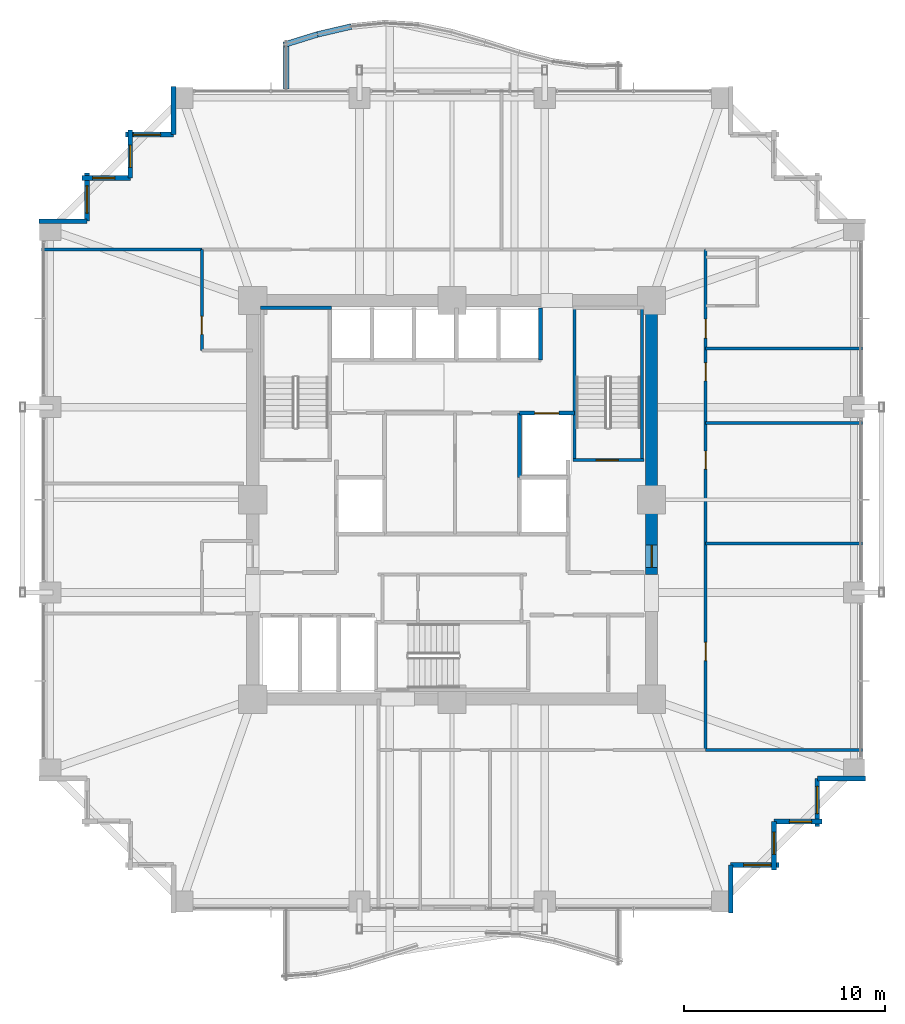
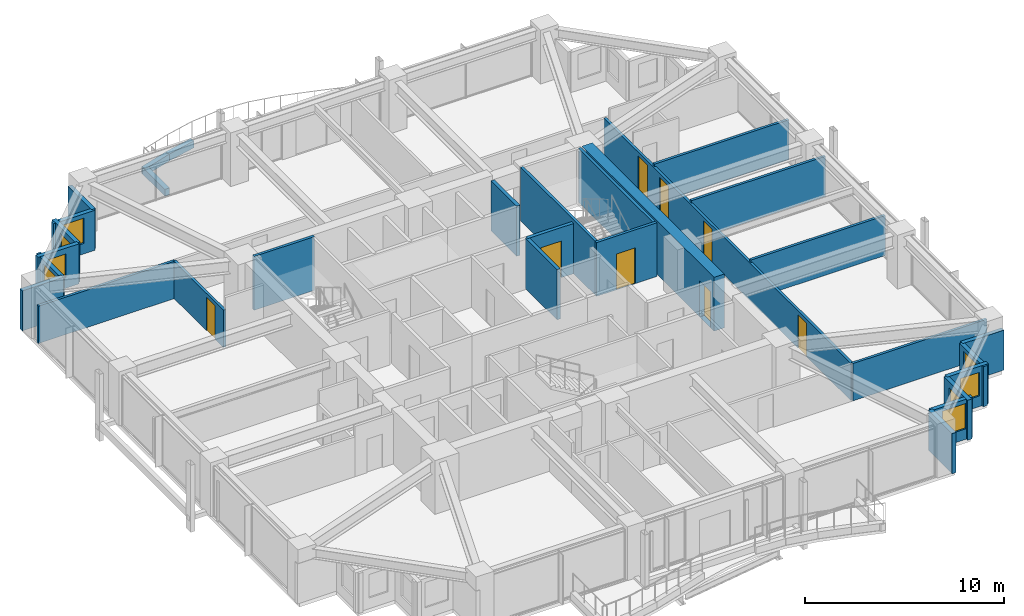
# One storey, part 34 of 38: 30 walls, 8 doors, 8 windows, 16 openings.
"""IFC4 building model written with IfcOpenShell, lengths in metres."""

from ifc_helpers import new_model, si_unit, direction, frame, frame_2d, origin, place, context, subcontext, project, spatial, rectangle, extrude, material, layer, layer_set, type_object, element, fill, save


model = new_model("IFC4")

# Units and contexts
model_context = context("Model", 3, precision=1e-05, world=origin(), true_north=direction((0.0, 1.0)))
body_context = subcontext(model_context, "Body", "Model", "MODEL_VIEW")
ifc_project = project(units=[si_unit("LENGTHUNIT", "METRE"), si_unit("AREAUNIT", "SQUARE_METRE"), si_unit("VOLUMEUNIT", "CUBIC_METRE"), si_unit("PLANEANGLEUNIT", "RADIAN"), si_unit("MASSUNIT", "GRAM", prefix="KILO")], contexts=[model_context])

# Site, building, storey
site_placement = place(None, origin())
site = spatial("IfcSite", under=ifc_project, at=site_placement, CompositionType="ELEMENT")
building_placement = place(site_placement, origin())
building = spatial("IfcBuilding", under=site, at=building_placement, Name="Kolvaren Belvedere", CompositionType="ELEMENT")
storey_placement = place(building_placement, frame((0.0, 0.0, 72.199951171875)))
storey = spatial("IfcBuildingStorey", under=building, at=storey_placement, Name="L20", CompositionType="ELEMENT", Elevation=72.199951171875)

# Wall, opening, door
ifc_material_1 = material(Name="Concrete C60/75", Category="concrete")
ifc_layer_1 = layer(ifc_material_1, 0.60009765625)
ifc_layer_set_1 = layer_set([ifc_layer_1], Name="Concrete C60/75")
wall_type_1 = type_object("IfcWallType", Name="CW-CORE-600", PredefinedType="SHEAR", material=ifc_layer_set_1)
wall_1_placement = place(storey_placement, frame((9.89990234375, -3.699951171875, 0.0), z_axis=(0.0, 0.0, 1.0), x_axis=(0.0, 1.0, 0.0)))
wall_1 = element("IfcWall", 1, at=wall_1_placement, inside=storey, type_object=wall_type_1, Name="L20 East Core Shear Wall 2", PredefinedType="SHEAR", context=body_context, shape_type="SweptSolid", body=[
    extrude(rectangle(XDim=13.300048828125, YDim=0.60009765625, at=frame_2d((6.64990234375, 0.0))), origin(), (0.0, 0.0, 1.0), 3.300048828125),
])
opening_1_placement = place(wall_1_placement, frame((0.35009765625, 0.0, 0.0)))
opening_1 = element("IfcOpeningElement", 2, at=opening_1_placement, cuts=wall_1, Name="Opening D-FD90", PredefinedType="OPENING", context=body_context, shape_type="SweptSolid", body=[
    extrude(rectangle(XDim=1.10009765625, YDim=2.199951171875, at=frame_2d((0.550048828125, 1.10009765625))), frame((0.0, 0.31005859375, 0.0), z_axis=(0.0, -1.0, 0.0), x_axis=(1.0, 0.0, 0.0)), (0.0, 0.0, 1.0), 0.6201171875),
])
ifc_material_2 = material(Name="Painted hollow stainless steel", Category="steel")
door_type_1 = type_object("IfcDoorType", Name="DR-FD90-1100", OperationType="NOTDEFINED", PredefinedType="DOOR", material=ifc_material_2)
door_1_placement = place(opening_1_placement, origin())
door_1 = element("IfcDoor", 3, at=door_1_placement, inside=storey, type_object=door_type_1, Name="L20 East Firefighting Lobby Fire Door", OperationType="SINGLE_SWING_RIGHT", OverallHeight=2.199951171875, OverallWidth=1.10009765625, PredefinedType="DOOR", context=body_context, shape_type="SweptSolid", body=[
    extrude(rectangle(XDim=1.10009765625, YDim=2.199951171875, at=frame_2d((0.550048828125, 1.10009765625))), frame((0.0, 0.02490234375, 0.0), z_axis=(0.0, -1.0, 0.0), x_axis=(1.0, 0.0, 0.0)), (0.0, 0.0, 1.0), 0.050048828125),
])
fill(opening_1, door_1)

# Wall
ifc_material_3 = material(Name="Concrete C50/60", Category="concrete")
ifc_layer_2 = layer(ifc_material_3, 0.159912109375)
ifc_layer_set_2 = layer_set([ifc_layer_2], Name="Concrete C50/60")
wall_type_2 = type_object("IfcWallType", Name="CW-STAIR-160", PredefinedType="SHEAR", material=ifc_layer_set_2)
wall_2_placement = place(storey_placement, frame((-9.52001953125, 9.530029296875, 0.0), z_axis=(0.0, 0.0, 1.0), x_axis=(1.0, 0.0, 0.0)))
element("IfcWall", 4, at=wall_2_placement, inside=storey, type_object=wall_type_2, Name="L20 Stair ST-1 North Shear Wall", PredefinedType="SHEAR", context=body_context, shape_type="SweptSolid", body=[
    extrude(rectangle(XDim=3.52001953125, YDim=0.159912109375, at=frame_2d((1.760009765625, 0.0))), origin(), (0.0, 0.0, 1.0), 3.300048828125),
])

# Wall, opening, door
wall_3_placement = place(storey_placement, frame((6.0, 1.969970703125, 0.0), z_axis=(0.0, 0.0, 1.0), x_axis=(1.0, 0.0, 0.0)))
wall_3 = element("IfcWall", 5, at=wall_3_placement, inside=storey, type_object=wall_type_2, Name="L20 Stair ST-2 South Shear Wall", PredefinedType="SHEAR", context=body_context, shape_type="SweptSolid", body=[
    extrude(rectangle(XDim=3.52001953125, YDim=0.159912109375, at=frame_2d((1.760009765625, 0.0))), origin(), (0.0, 0.0, 1.0), 3.300048828125),
])
opening_2_placement = place(wall_3_placement, frame((1.14990234375, 0.0, 0.0)))
opening_2 = element("IfcOpeningElement", 6, at=opening_2_placement, cuts=wall_3, Name="Opening D-FD90", PredefinedType="OPENING", context=body_context, shape_type="SweptSolid", body=[
    extrude(rectangle(XDim=1.10009765625, YDim=2.199951171875, at=frame_2d((0.550048828125, 1.10009765625))), frame((0.0, 0.08984375, 0.0), z_axis=(0.0, -1.0, 0.0), x_axis=(1.0, 0.0, 0.0)), (0.0, 0.0, 1.0), 0.179931640625),
])
door_2_placement = place(opening_2_placement, origin())
door_2 = element("IfcDoor", 7, at=door_2_placement, inside=storey, type_object=door_type_1, Name="L20 Stair ST-2 Fire Door", OperationType="SINGLE_SWING_RIGHT", OverallHeight=2.199951171875, OverallWidth=1.10009765625, PredefinedType="DOOR", context=body_context, shape_type="SweptSolid", body=[
    extrude(rectangle(XDim=1.10009765625, YDim=2.199951171875, at=frame_2d((0.550048828125, 1.10009765625))), frame((0.0, 0.02490234375, 0.0), z_axis=(0.0, -1.0, 0.0), x_axis=(1.0, 0.0, 0.0)), (0.0, 0.0, 1.0), 0.050048828125),
])
fill(opening_2, door_2)

# Walls
for number, where, z_axis, x_axis, name in (
    (8, (6.080078125, 1.969970703125, 0.0), (0.0, 0.0, 1.0), (0.0, 1.0, 0.0), "L20 Stair ST-2 West Shear Wall"),
    (9, (9.429931640625, 1.969970703125, 0.0), (0.0, 0.0, 1.0), (0.0, 1.0, 0.0), "L20 Stair ST-2 East Shear Wall"),
):
    element("IfcWall", number, at=place(storey_placement, frame(where, z_axis=z_axis, x_axis=x_axis)), inside=storey, type_object=wall_type_2, Name=name, PredefinedType="SHEAR", context=body_context, shape_type="SweptSolid", body=[
        extrude(rectangle(XDim=7.56005859375, YDim=0.159912109375, at=frame_2d((3.780029296875, 0.0))), origin(), (0.0, 0.0, 1.0), 3.300048828125),
    ])

# Wall, opening, door
ifc_material_4 = material(Name="Gypsum fire-rated partition assembly", Category="gypsum")
ifc_layer_3 = layer(ifc_material_4, 0.14990234375)
ifc_layer_set_3 = layer_set([ifc_layer_3], Name="Gypsum fire-rated partition assembly")
wall_type_3 = type_object("IfcWallType", Name="WL-CORR-150", PredefinedType="PARTITIONING", material=ifc_layer_set_3)
wall_4_placement = place(storey_placement, frame((-12.419921875, 7.39990234375, 0.0), z_axis=(0.0, 0.0, 1.0), x_axis=(0.0, 1.0, 0.0)))
wall_4 = element("IfcWall", 10, at=wall_4_placement, inside=storey, type_object=wall_type_3, Name="L20 NW Corridor End Wall", PredefinedType="PARTITIONING", context=body_context, shape_type="SweptSolid", body=[
    extrude(rectangle(XDim=5.02001953125, YDim=0.14990234375, at=frame_2d((2.510009765625, 0.0))), origin(), (0.0, 0.0, 1.0), 2.2919921875),
])
opening_3_placement = place(wall_4_placement, frame((0.81103515625, 0.0, 0.0)))
opening_3 = element("IfcOpeningElement", 11, at=opening_3_placement, cuts=wall_4, Name="Opening D-INT90", PredefinedType="OPENING", context=body_context, shape_type="SweptSolid", body=[
    extrude(rectangle(XDim=0.89990234375, YDim=2.06005859375, at=frame_2d((0.449951171875, 1.030029296875))), frame((0.0, 0.0849609375, 0.0), z_axis=(0.0, -1.0, 0.0), x_axis=(1.0, 0.0, 0.0)), (0.0, 0.0, 1.0), 0.169921875),
])
ifc_material_5 = material(Name="Stained Pacific white oak", Category="timber")
door_type_2 = type_object("IfcDoorType", Name="DR-INT-900", OperationType="NOTDEFINED", PredefinedType="DOOR", material=ifc_material_5)
door_3_placement = place(opening_3_placement, origin())
door_3 = element("IfcDoor", 12, at=door_3_placement, inside=storey, type_object=door_type_2, Name="L20 Lounge 2007 Door", OperationType="SINGLE_SWING_LEFT", OverallHeight=2.06005859375, OverallWidth=0.89990234375, PredefinedType="DOOR", context=body_context, shape_type="SweptSolid", body=[
    extrude(rectangle(XDim=0.89990234375, YDim=2.06005859375, at=frame_2d((0.449951171875, 1.030029296875))), frame((0.0, 0.02490234375, 0.0), z_axis=(0.0, -1.0, 0.0), x_axis=(1.0, 0.0, 0.0)), (0.0, 0.0, 1.0), 0.050048828125),
])
fill(opening_3, door_3)

# Wall, openings, doors
wall_5_placement = place(storey_placement, frame((12.580078125, -12.419921875, 0.0), z_axis=(0.0, 0.0, 1.0), x_axis=(0.0, 1.0, 0.0)))
wall_5 = element("IfcWall", 13, at=wall_5_placement, inside=storey, type_object=wall_type_3, Name="L20 East Corridor Wall", PredefinedType="PARTITIONING", context=body_context, shape_type="SweptSolid", body=[
    extrude(rectangle(XDim=24.83984375, YDim=0.14990234375, at=frame_2d((12.419921875, 0.0))), origin(), (0.0, 0.0, 1.0), 2.2919921875),
])
opening_4_placement = place(wall_5_placement, frame((4.43505859375, 0.0, 0.0)))
opening_4 = element("IfcOpeningElement", 14, at=opening_4_placement, cuts=wall_5, Name="Opening D-INT90", PredefinedType="OPENING", context=body_context, shape_type="SweptSolid", body=[
    extrude(rectangle(XDim=0.89990234375, YDim=2.06005859375, at=frame_2d((0.449951171875, 1.030029296875))), frame((0.0, 0.0849609375, 0.0), z_axis=(0.0, -1.0, 0.0), x_axis=(1.0, 0.0, 0.0)), (0.0, 0.0, 1.0), 0.169921875),
])
opening_5_placement = place(wall_5_placement, frame((13.940673828125, 0.0, 0.0)))
opening_5 = element("IfcOpeningElement", 15, at=opening_5_placement, cuts=wall_5, Name="Opening D-INT90", PredefinedType="OPENING", context=body_context, shape_type="SweptSolid", body=[
    extrude(rectangle(XDim=0.89990234375, YDim=2.06005859375, at=frame_2d((0.449951171875, 1.030029296875))), frame((0.0, 0.0849609375, 0.0), z_axis=(0.0, -1.0, 0.0), x_axis=(1.0, 0.0, 0.0)), (0.0, 0.0, 1.0), 0.169921875),
])
opening_6_placement = place(wall_5_placement, frame((18.322021484375, 0.0, 0.0)))
opening_6 = element("IfcOpeningElement", 16, at=opening_6_placement, cuts=wall_5, Name="Opening D-INT90", PredefinedType="OPENING", context=body_context, shape_type="SweptSolid", body=[
    extrude(rectangle(XDim=0.89990234375, YDim=2.06005859375, at=frame_2d((0.449951171875, 1.030029296875))), frame((0.0, 0.0849609375, 0.0), z_axis=(0.0, -1.0, 0.0), x_axis=(1.0, 0.0, 0.0)), (0.0, 0.0, 1.0), 0.169921875),
])
opening_7_placement = place(wall_5_placement, frame((20.4423828125, 0.0, 0.0)))
opening_7 = element("IfcOpeningElement", 17, at=opening_7_placement, cuts=wall_5, Name="Opening D-FD60", PredefinedType="OPENING", context=body_context, shape_type="SweptSolid", body=[
    extrude(rectangle(XDim=0.949951171875, YDim=2.06005859375, at=frame_2d((0.47509765625, 1.030029296875))), frame((0.0, 0.0849609375, 0.0), z_axis=(0.0, -1.0, 0.0), x_axis=(1.0, 0.0, 0.0)), (0.0, 0.0, 1.0), 0.169921875),
])
ifc_material_6 = material(Name="Acoustic white-oak fire door leaf", Category="timber")
door_type_3 = type_object("IfcDoorType", Name="DR-FD60-950", OperationType="NOTDEFINED", PredefinedType="DOOR", material=ifc_material_6)
door_4_placement = place(opening_7_placement, origin())
door_4 = element("IfcDoor", 18, at=door_4_placement, inside=storey, type_object=door_type_3, Name="L20 King Guest Room 2006 Entry Door", OperationType="SINGLE_SWING_RIGHT", OverallHeight=2.06005859375, OverallWidth=0.949951171875, PredefinedType="DOOR", context=body_context, shape_type="SweptSolid", body=[
    extrude(rectangle(XDim=0.949951171875, YDim=2.06005859375, at=frame_2d((0.47509765625, 1.030029296875))), frame((0.0, 0.02490234375, 0.0), z_axis=(0.0, -1.0, 0.0), x_axis=(1.0, 0.0, 0.0)), (0.0, 0.0, 1.0), 0.050048828125),
])
fill(opening_7, door_4)
door_5_placement = place(opening_4_placement, origin())
door_5 = element("IfcDoor", 19, at=door_5_placement, inside=storey, type_object=door_type_2, Name="L20 Private Hospitality Meeting Room 2003 Door", OperationType="SINGLE_SWING_RIGHT", OverallHeight=2.06005859375, OverallWidth=0.89990234375, PredefinedType="DOOR", context=body_context, shape_type="SweptSolid", body=[
    extrude(rectangle(XDim=0.89990234375, YDim=2.06005859375, at=frame_2d((0.449951171875, 1.030029296875))), frame((0.0, 0.02490234375, 0.0), z_axis=(0.0, -1.0, 0.0), x_axis=(1.0, 0.0, 0.0)), (0.0, 0.0, 1.0), 0.050048828125),
])
fill(opening_4, door_5)
door_6_placement = place(opening_5_placement, origin())
door_6 = element("IfcDoor", 20, at=door_6_placement, inside=storey, type_object=door_type_2, Name="L20 Panoramic Quiet Lounge 2004 Door", OperationType="SINGLE_SWING_LEFT", OverallHeight=2.06005859375, OverallWidth=0.89990234375, PredefinedType="DOOR", context=body_context, shape_type="SweptSolid", body=[
    extrude(rectangle(XDim=0.89990234375, YDim=2.06005859375, at=frame_2d((0.449951171875, 1.030029296875))), frame((0.0, 0.02490234375, 0.0), z_axis=(0.0, -1.0, 0.0), x_axis=(1.0, 0.0, 0.0)), (0.0, 0.0, 1.0), 0.050048828125),
])
fill(opening_5, door_6)
door_7_placement = place(opening_6_placement, origin())
door_7 = element("IfcDoor", 21, at=door_7_placement, inside=storey, type_object=door_type_2, Name="L20 Botanical Reading Salon 2005 Door", OperationType="SINGLE_SWING_RIGHT", OverallHeight=2.06005859375, OverallWidth=0.89990234375, PredefinedType="DOOR", context=body_context, shape_type="SweptSolid", body=[
    extrude(rectangle(XDim=0.89990234375, YDim=2.06005859375, at=frame_2d((0.449951171875, 1.030029296875))), frame((0.0, 0.02490234375, 0.0), z_axis=(0.0, -1.0, 0.0), x_axis=(1.0, 0.0, 0.0)), (0.0, 0.0, 1.0), 0.050048828125),
])
fill(opening_6, door_7)

# Wall
ifc_material_7 = material(Name="Insulated pale-metal facade wall assembly", Category="aluminium")
ifc_layer_4 = layer(ifc_material_7, 0.239990234375)
ifc_layer_set_4 = layer_set([ifc_layer_4], Name="Insulated pale-metal facade wall assembly")
wall_type_4 = type_object("IfcWallType", Name="WL-EXT-240", PredefinedType="STANDARD", material=ifc_layer_set_4)
wall_6_placement = place(storey_placement, frame((13.830078125, -18.1298828125, 0.0), z_axis=(0.0, 0.0, 1.0), x_axis=(0.0, -1.0, 0.0)))
element("IfcWall", 22, at=wall_6_placement, inside=storey, type_object=wall_type_4, Name="L20 Serrated Corner Facade Wall 2", PredefinedType="STANDARD", context=body_context, shape_type="SweptSolid", body=[
    extrude(rectangle(XDim=2.39013671875, YDim=0.239990234375, at=frame_2d((1.195068359375, 0.0))), origin(), (0.0, 0.0, 1.0), 2.458984375),
])

# Wall, opening, window
wall_7_placement = place(storey_placement, frame((16.219970703125, -18.1298828125, 0.0), z_axis=(0.0, 0.0, 1.0), x_axis=(-1.0, 0.0, 0.0)))
wall_7 = element("IfcWall", 23, at=wall_7_placement, inside=storey, type_object=wall_type_4, Name="L20 Serrated Corner Facade Wall 3", PredefinedType="STANDARD", context=body_context, shape_type="SweptSolid", body=[
    extrude(rectangle(XDim=2.389892578125, YDim=0.239990234375, at=frame_2d((1.19482421875, 0.0))), origin(), (0.0, 0.0, 1.0), 2.458984375),
])
opening_8_placement = place(wall_7_placement, frame((0.39990234375, 0.0, 0.64990234375)))
opening_8 = element("IfcOpeningElement", 24, at=opening_8_placement, cuts=wall_7, Name="Opening W-1350", PredefinedType="OPENING", context=body_context, shape_type="SweptSolid", body=[
    extrude(rectangle(XDim=1.35009765625, YDim=1.550048828125, at=frame_2d((0.675048828125, 0.77490234375))), frame((0.0, 0.1298828125, 0.0), z_axis=(0.0, -1.0, 0.0), x_axis=(1.0, 0.0, 0.0)), (0.0, 0.0, 1.0), 0.260009765625),
])
ifc_material_8 = material(Name="Low-iron triple insulated glass", Category="glass")
window_type_1 = type_object("IfcWindowType", Name="WN-CORN-1350", PartitioningType="SINGLE_PANEL", PredefinedType="WINDOW", material=ifc_material_8)
window_1_placement = place(opening_8_placement, origin())
window_1 = element("IfcWindow", 25, at=window_1_placement, inside=storey, type_object=window_type_1, Name="L20 Serrated Corner Vision Window 3", OverallHeight=1.550048828125, OverallWidth=1.35009765625, PartitioningType="SINGLE_PANEL", PredefinedType="WINDOW", context=body_context, shape_type="SweptSolid", body=[
    extrude(rectangle(XDim=1.35009765625, YDim=1.550048828125, at=frame_2d((0.675048828125, 0.77490234375))), frame((0.0, 0.030029296875, 0.0), z_axis=(0.0, -1.0, 0.0), x_axis=(1.0, 0.0, 0.0)), (0.0, 0.0, 1.0), 0.06005859375),
])
fill(opening_8, window_1)

wall_8_placement = place(storey_placement, frame((15.97998046875, -15.97998046875, 0.0), z_axis=(0.0, 0.0, 1.0), x_axis=(0.0, -1.0, 0.0)))
wall_8 = element("IfcWall", 26, at=wall_8_placement, inside=storey, type_object=wall_type_4, Name="L20 Serrated Corner Facade Wall 4", PredefinedType="STANDARD", context=body_context, shape_type="SweptSolid", body=[
    extrude(rectangle(XDim=2.39013671875, YDim=0.239990234375, at=frame_2d((1.195068359375, 0.0))), origin(), (0.0, 0.0, 1.0), 2.458984375),
])
opening_9_placement = place(wall_8_placement, frame((0.52490234375, 0.0, 0.64990234375)))
opening_9 = element("IfcOpeningElement", 27, at=opening_9_placement, cuts=wall_8, Name="Opening W-1100", PredefinedType="OPENING", context=body_context, shape_type="SweptSolid", body=[
    extrude(rectangle(XDim=1.10009765625, YDim=1.449951171875, at=frame_2d((0.550048828125, 0.72509765625))), frame((0.0, 0.1298828125, 0.0), z_axis=(0.0, -1.0, 0.0), x_axis=(1.0, 0.0, 0.0)), (0.0, 0.0, 1.0), 0.260009765625),
])
ifc_material_9 = material(Name="Low-iron triple insulated glass", Category="glass")
window_type_2 = type_object("IfcWindowType", Name="WN-CORN-1100", PartitioningType="SINGLE_PANEL", PredefinedType="WINDOW", material=ifc_material_9)
window_2_placement = place(opening_9_placement, origin())
window_2 = element("IfcWindow", 28, at=window_2_placement, inside=storey, type_object=window_type_2, Name="L20 Serrated Corner Vision Window 4", OverallHeight=1.449951171875, OverallWidth=1.10009765625, PartitioningType="SINGLE_PANEL", PredefinedType="WINDOW", context=body_context, shape_type="SweptSolid", body=[
    extrude(rectangle(XDim=1.10009765625, YDim=1.449951171875, at=frame_2d((0.550048828125, 0.72509765625))), frame((0.0, 0.030029296875, 0.0), z_axis=(0.0, -1.0, 0.0), x_axis=(1.0, 0.0, 0.0)), (0.0, 0.0, 1.0), 0.06005859375),
])
fill(opening_9, window_2)

wall_9_placement = place(storey_placement, frame((18.3701171875, -15.97998046875, 0.0), z_axis=(0.0, 0.0, 1.0), x_axis=(-1.0, 0.0, 0.0)))
wall_9 = element("IfcWall", 29, at=wall_9_placement, inside=storey, type_object=wall_type_4, Name="L20 Serrated Corner Facade Wall 5", PredefinedType="STANDARD", context=body_context, shape_type="SweptSolid", body=[
    extrude(rectangle(XDim=2.39013671875, YDim=0.239990234375, at=frame_2d((1.195068359375, 0.0))), origin(), (0.0, 0.0, 1.0), 2.458984375),
])
opening_10_placement = place(wall_9_placement, frame((0.52490234375, 0.0, 0.64990234375)))
opening_10 = element("IfcOpeningElement", 30, at=opening_10_placement, cuts=wall_9, Name="Opening W-1100", PredefinedType="OPENING", context=body_context, shape_type="SweptSolid", body=[
    extrude(rectangle(XDim=1.10009765625, YDim=1.449951171875, at=frame_2d((0.550048828125, 0.72509765625))), frame((0.0, 0.1298828125, 0.0), z_axis=(0.0, -1.0, 0.0), x_axis=(1.0, 0.0, 0.0)), (0.0, 0.0, 1.0), 0.260009765625),
])
window_3_placement = place(opening_10_placement, origin())
window_3 = element("IfcWindow", 31, at=window_3_placement, inside=storey, type_object=window_type_2, Name="L20 Serrated Corner Vision Window 5", OverallHeight=1.449951171875, OverallWidth=1.10009765625, PartitioningType="SINGLE_PANEL", PredefinedType="WINDOW", context=body_context, shape_type="SweptSolid", body=[
    extrude(rectangle(XDim=1.10009765625, YDim=1.449951171875, at=frame_2d((0.550048828125, 0.72509765625))), frame((0.0, 0.030029296875, 0.0), z_axis=(0.0, -1.0, 0.0), x_axis=(1.0, 0.0, 0.0)), (0.0, 0.0, 1.0), 0.06005859375),
])
fill(opening_10, window_3)

wall_10_placement = place(storey_placement, frame((18.1298828125, -13.830078125, 0.0), z_axis=(0.0, 0.0, 1.0), x_axis=(0.0, -1.0, 0.0)))
wall_10 = element("IfcWall", 32, at=wall_10_placement, inside=storey, type_object=wall_type_4, Name="L20 Serrated Corner Facade Wall 6", PredefinedType="STANDARD", context=body_context, shape_type="SweptSolid", body=[
    extrude(rectangle(XDim=2.389892578125, YDim=0.239990234375, at=frame_2d((1.19482421875, 0.0))), origin(), (0.0, 0.0, 1.0), 2.458984375),
])
opening_11_placement = place(wall_10_placement, frame((0.39990234375, 0.0, 0.64990234375)))
opening_11 = element("IfcOpeningElement", 33, at=opening_11_placement, cuts=wall_10, Name="Opening W-1350", PredefinedType="OPENING", context=body_context, shape_type="SweptSolid", body=[
    extrude(rectangle(XDim=1.35009765625, YDim=1.550048828125, at=frame_2d((0.675048828125, 0.77490234375))), frame((0.0, 0.1298828125, 0.0), z_axis=(0.0, -1.0, 0.0), x_axis=(1.0, 0.0, 0.0)), (0.0, 0.0, 1.0), 0.260009765625),
])
window_4_placement = place(opening_11_placement, origin())
window_4 = element("IfcWindow", 34, at=window_4_placement, inside=storey, type_object=window_type_1, Name="L20 Serrated Corner Vision Window 6", OverallHeight=1.550048828125, OverallWidth=1.35009765625, PartitioningType="SINGLE_PANEL", PredefinedType="WINDOW", context=body_context, shape_type="SweptSolid", body=[
    extrude(rectangle(XDim=1.35009765625, YDim=1.550048828125, at=frame_2d((0.675048828125, 0.77490234375))), frame((0.0, 0.030029296875, 0.0), z_axis=(0.0, -1.0, 0.0), x_axis=(1.0, 0.0, 0.0)), (0.0, 0.0, 1.0), 0.06005859375),
])
fill(opening_11, window_4)

# Walls
for number, where, z_axis, x_axis, name in (
    (35, (20.52001953125, -13.830078125, 0.0), (0.0, 0.0, 1.0), (-1.0, 0.0, 0.0), "L20 Serrated Corner Facade Wall 7"),
    (36, (-13.830078125, 18.1298828125, 0.0), (0.0, 0.0, 1.0), (0.0, 1.0, 0.0), "L20 Serrated Corner Facade Wall 16"),
):
    element("IfcWall", number, at=place(storey_placement, frame(where, z_axis=z_axis, x_axis=x_axis)), inside=storey, type_object=wall_type_4, Name=name, PredefinedType="STANDARD", context=body_context, shape_type="SweptSolid", body=[
        extrude(rectangle(XDim=2.39013671875, YDim=0.239990234375, at=frame_2d((1.195068359375, 0.0))), origin(), (0.0, 0.0, 1.0), 2.458984375),
    ])

# Wall, opening, window
wall_11_placement = place(storey_placement, frame((-16.219970703125, 18.1298828125, 0.0), z_axis=(0.0, 0.0, 1.0), x_axis=(1.0, 0.0, 0.0)))
wall_11 = element("IfcWall", 37, at=wall_11_placement, inside=storey, type_object=wall_type_4, Name="L20 Serrated Corner Facade Wall 17", PredefinedType="STANDARD", context=body_context, shape_type="SweptSolid", body=[
    extrude(rectangle(XDim=2.389892578125, YDim=0.239990234375, at=frame_2d((1.19482421875, 0.0))), origin(), (0.0, 0.0, 1.0), 2.458984375),
])
opening_12_placement = place(wall_11_placement, frame((0.39990234375, 0.0, 0.64990234375)))
opening_12 = element("IfcOpeningElement", 38, at=opening_12_placement, cuts=wall_11, Name="Opening W-1350", PredefinedType="OPENING", context=body_context, shape_type="SweptSolid", body=[
    extrude(rectangle(XDim=1.35009765625, YDim=1.550048828125, at=frame_2d((0.675048828125, 0.77490234375))), frame((0.0, 0.1298828125, 0.0), z_axis=(0.0, -1.0, 0.0), x_axis=(1.0, 0.0, 0.0)), (0.0, 0.0, 1.0), 0.260009765625),
])
window_5_placement = place(opening_12_placement, origin())
window_5 = element("IfcWindow", 39, at=window_5_placement, inside=storey, type_object=window_type_1, Name="L20 Serrated Corner Vision Window 17", OverallHeight=1.550048828125, OverallWidth=1.35009765625, PartitioningType="SINGLE_PANEL", PredefinedType="WINDOW", context=body_context, shape_type="SweptSolid", body=[
    extrude(rectangle(XDim=1.35009765625, YDim=1.550048828125, at=frame_2d((0.675048828125, 0.77490234375))), frame((0.0, 0.030029296875, 0.0), z_axis=(0.0, -1.0, 0.0), x_axis=(1.0, 0.0, 0.0)), (0.0, 0.0, 1.0), 0.06005859375),
])
fill(opening_12, window_5)

wall_12_placement = place(storey_placement, frame((-15.97998046875, 15.97998046875, 0.0), z_axis=(0.0, 0.0, 1.0), x_axis=(0.0, 1.0, 0.0)))
wall_12 = element("IfcWall", 40, at=wall_12_placement, inside=storey, type_object=wall_type_4, Name="L20 Serrated Corner Facade Wall 18", PredefinedType="STANDARD", context=body_context, shape_type="SweptSolid", body=[
    extrude(rectangle(XDim=2.39013671875, YDim=0.239990234375, at=frame_2d((1.195068359375, 0.0))), origin(), (0.0, 0.0, 1.0), 2.458984375),
])
opening_13_placement = place(wall_12_placement, frame((0.52490234375, 0.0, 0.64990234375)))
opening_13 = element("IfcOpeningElement", 41, at=opening_13_placement, cuts=wall_12, Name="Opening W-1100", PredefinedType="OPENING", context=body_context, shape_type="SweptSolid", body=[
    extrude(rectangle(XDim=1.10009765625, YDim=1.449951171875, at=frame_2d((0.550048828125, 0.72509765625))), frame((0.0, 0.1298828125, 0.0), z_axis=(0.0, -1.0, 0.0), x_axis=(1.0, 0.0, 0.0)), (0.0, 0.0, 1.0), 0.260009765625),
])
window_6_placement = place(opening_13_placement, origin())
window_6 = element("IfcWindow", 42, at=window_6_placement, inside=storey, type_object=window_type_2, Name="L20 Serrated Corner Vision Window 18", OverallHeight=1.449951171875, OverallWidth=1.10009765625, PartitioningType="SINGLE_PANEL", PredefinedType="WINDOW", context=body_context, shape_type="SweptSolid", body=[
    extrude(rectangle(XDim=1.10009765625, YDim=1.449951171875, at=frame_2d((0.550048828125, 0.72509765625))), frame((0.0, 0.030029296875, 0.0), z_axis=(0.0, -1.0, 0.0), x_axis=(1.0, 0.0, 0.0)), (0.0, 0.0, 1.0), 0.06005859375),
])
fill(opening_13, window_6)

wall_13_placement = place(storey_placement, frame((-18.3701171875, 15.97998046875, 0.0), z_axis=(0.0, 0.0, 1.0), x_axis=(1.0, 0.0, 0.0)))
wall_13 = element("IfcWall", 43, at=wall_13_placement, inside=storey, type_object=wall_type_4, Name="L20 Serrated Corner Facade Wall 19", PredefinedType="STANDARD", context=body_context, shape_type="SweptSolid", body=[
    extrude(rectangle(XDim=2.39013671875, YDim=0.239990234375, at=frame_2d((1.195068359375, 0.0))), origin(), (0.0, 0.0, 1.0), 2.458984375),
])
opening_14_placement = place(wall_13_placement, frame((0.52490234375, 0.0, 0.64990234375)))
opening_14 = element("IfcOpeningElement", 44, at=opening_14_placement, cuts=wall_13, Name="Opening W-1100", PredefinedType="OPENING", context=body_context, shape_type="SweptSolid", body=[
    extrude(rectangle(XDim=1.10009765625, YDim=1.449951171875, at=frame_2d((0.550048828125, 0.72509765625))), frame((0.0, 0.1298828125, 0.0), z_axis=(0.0, -1.0, 0.0), x_axis=(1.0, 0.0, 0.0)), (0.0, 0.0, 1.0), 0.260009765625),
])
window_7_placement = place(opening_14_placement, origin())
window_7 = element("IfcWindow", 45, at=window_7_placement, inside=storey, type_object=window_type_2, Name="L20 Serrated Corner Vision Window 19", OverallHeight=1.449951171875, OverallWidth=1.10009765625, PartitioningType="SINGLE_PANEL", PredefinedType="WINDOW", context=body_context, shape_type="SweptSolid", body=[
    extrude(rectangle(XDim=1.10009765625, YDim=1.449951171875, at=frame_2d((0.550048828125, 0.72509765625))), frame((0.0, 0.030029296875, 0.0), z_axis=(0.0, -1.0, 0.0), x_axis=(1.0, 0.0, 0.0)), (0.0, 0.0, 1.0), 0.06005859375),
])
fill(opening_14, window_7)

wall_14_placement = place(storey_placement, frame((-18.1298828125, 13.830078125, 0.0), z_axis=(0.0, 0.0, 1.0), x_axis=(0.0, 1.0, 0.0)))
wall_14 = element("IfcWall", 46, at=wall_14_placement, inside=storey, type_object=wall_type_4, Name="L20 Serrated Corner Facade Wall 20", PredefinedType="STANDARD", context=body_context, shape_type="SweptSolid", body=[
    extrude(rectangle(XDim=2.389892578125, YDim=0.239990234375, at=frame_2d((1.19482421875, 0.0))), origin(), (0.0, 0.0, 1.0), 2.458984375),
])
opening_15_placement = place(wall_14_placement, frame((0.39990234375, 0.0, 0.64990234375)))
opening_15 = element("IfcOpeningElement", 47, at=opening_15_placement, cuts=wall_14, Name="Opening W-1350", PredefinedType="OPENING", context=body_context, shape_type="SweptSolid", body=[
    extrude(rectangle(XDim=1.35009765625, YDim=1.550048828125, at=frame_2d((0.675048828125, 0.77490234375))), frame((0.0, 0.1298828125, 0.0), z_axis=(0.0, -1.0, 0.0), x_axis=(1.0, 0.0, 0.0)), (0.0, 0.0, 1.0), 0.260009765625),
])
window_8_placement = place(opening_15_placement, origin())
window_8 = element("IfcWindow", 48, at=window_8_placement, inside=storey, type_object=window_type_1, Name="L20 Serrated Corner Vision Window 20", OverallHeight=1.550048828125, OverallWidth=1.35009765625, PartitioningType="SINGLE_PANEL", PredefinedType="WINDOW", context=body_context, shape_type="SweptSolid", body=[
    extrude(rectangle(XDim=1.35009765625, YDim=1.550048828125, at=frame_2d((0.675048828125, 0.77490234375))), frame((0.0, 0.030029296875, 0.0), z_axis=(0.0, -1.0, 0.0), x_axis=(1.0, 0.0, 0.0)), (0.0, 0.0, 1.0), 0.06005859375),
])
fill(opening_15, window_8)

# Walls
wall_15_placement = place(storey_placement, frame((-20.52001953125, 13.830078125, 0.0), z_axis=(0.0, 0.0, 1.0), x_axis=(1.0, 0.0, 0.0)))
element("IfcWall", 49, at=wall_15_placement, inside=storey, type_object=wall_type_4, Name="L20 Serrated Corner Facade Wall 21", PredefinedType="STANDARD", context=body_context, shape_type="SweptSolid", body=[
    extrude(rectangle(XDim=2.39013671875, YDim=0.239990234375, at=frame_2d((1.195068359375, 0.0))), origin(), (0.0, 0.0, 1.0), 2.458984375),
])
ifc_material_10 = material(Name="Gypsum acoustic partition assembly", Category="gypsum")
ifc_layer_5 = layer(ifc_material_10, 0.14990234375)
ifc_layer_set_5 = layer_set([ifc_layer_5], Name="Gypsum acoustic partition assembly")
wall_type_5 = type_object("IfcWallType", Name="WL-PART-150", PredefinedType="PARTITIONING", material=ifc_layer_set_5)
wall_16_placement = place(storey_placement, frame((12.580078125, -12.419921875, 0.0), z_axis=(0.0, 0.0, 1.0), x_axis=(1.0, 0.0, 0.0)))
element("IfcWall", 50, at=wall_16_placement, inside=storey, type_object=wall_type_5, Name="L20 Wing Divider PW-L20-QSE", PredefinedType="PARTITIONING", context=body_context, shape_type="SweptSolid", body=[
    extrude(rectangle(XDim=7.7998046875, YDim=0.14990234375, at=frame_2d((3.89990234375, 0.0))), origin(), (0.0, 0.0, 1.0), 2.2919921875),
])
wall_17_placement = place(storey_placement, frame((-20.3798828125, 12.419921875, 0.0), z_axis=(0.0, 0.0, 1.0), x_axis=(1.0, 0.0, 0.0)))
element("IfcWall", 51, at=wall_17_placement, inside=storey, type_object=wall_type_5, Name="L20 Wing Divider PW-L20-QNW", PredefinedType="PARTITIONING", context=body_context, shape_type="SweptSolid", body=[
    extrude(rectangle(XDim=7.9599609375, YDim=0.14990234375, at=frame_2d((3.97998046875, 0.0))), origin(), (0.0, 0.0, 1.0), 2.2919921875),
])
for number, where, z_axis, x_axis, name in (
    (52, (12.580078125, -2.179931640625, 0.0), (0.0, 0.0, 1.0), (1.0, 0.0, 0.0), "L20 East Suite Demising Wall 1"),
    (53, (12.580078125, 3.820068359375, 0.0), (0.0, 0.0, 1.0), (1.0, 0.0, 0.0), "L20 East Suite Demising Wall 2"),
    (54, (12.580078125, 7.52001953125, 0.0), (0.0, 0.0, 1.0), (1.0, 0.0, 0.0), "L20 East Suite Demising Wall 3"),
):
    element("IfcWall", number, at=place(storey_placement, frame(where, z_axis=z_axis, x_axis=x_axis)), inside=storey, type_object=wall_type_5, Name=name, PredefinedType="PARTITIONING", context=body_context, shape_type="SweptSolid", body=[
        extrude(rectangle(XDim=7.7998046875, YDim=0.14990234375, at=frame_2d((3.89990234375, 0.0))), origin(), (0.0, 0.0, 1.0), 2.448974609375),
    ])
ifc_material_11 = material(Name="Precast concrete C40/50", Category="concrete")
ifc_layer_6 = layer(ifc_material_11, 0.300048828125)
ifc_layer_set_6 = layer_set([ifc_layer_6], Name="Precast concrete C40/50")
wall_type_6 = type_object("IfcWallType", Name="WL-PLANTER-300", PredefinedType="PARAPET", material=ifc_layer_set_6)
wall_18_placement = place(storey_placement, frame((-5.003662109375, 23.49609375, -0.0400390625), z_axis=(0.0, 0.0, 1.0), x_axis=(-0.973890253884, -0.227019323824, 0.0)))
element("IfcWall", 55, at=wall_18_placement, inside=storey, type_object=wall_type_6, Name="L20 Precast Structural Planter Wall BAL-N-20", PredefinedType="PARAPET", context=body_context, shape_type="SweptSolid", body=[
    extrude(rectangle(XDim=1.724853515625, YDim=0.280029296875, at=frame_2d((0.8623046875, 0.0))), origin(), (0.0, 0.0, 1.0), 0.420166015625),
])
wall_19_placement = place(storey_placement, frame((-6.672607421875, 23.107421875, -0.0400390625), z_axis=(0.0, 0.0, 1.0), x_axis=(-0.955252278476, -0.29579229954, 0.0)))
element("IfcWall", 56, at=wall_19_placement, inside=storey, type_object=wall_type_6, Name="L20 Precast Structural Planter Wall BAL-N-21", PredefinedType="PARAPET", context=body_context, shape_type="SweptSolid", body=[
    extrude(rectangle(XDim=1.7587890625, YDim=0.280029296875, at=frame_2d((0.87939453125, 0.0))), origin(), (0.0, 0.0, 1.0), 0.420166015625),
])
wall_20_placement = place(storey_placement, frame((-8.239990234375, 22.739990234375, -0.0400390625), z_axis=(0.0, 0.0, 1.0), x_axis=(0.0, -1.0, 0.0)))
element("IfcWall", 57, at=wall_20_placement, inside=storey, type_object=wall_type_6, Name="L20 Precast Structural Planter Wall BAL-N-22", PredefinedType="PARAPET", context=body_context, shape_type="SweptSolid", body=[
    extrude(rectangle(XDim=2.340087890625, YDim=0.280029296875, at=frame_2d((1.169921875, 0.0))), origin(), (0.0, 0.0, 1.0), 0.420166015625),
])

# Wall, opening, door
ifc_material_12 = material(Name="Concrete C50/60", Category="concrete")
ifc_layer_7 = layer(ifc_material_12, 0.199951171875)
ifc_layer_set_7 = layer_set([ifc_layer_7], Name="Concrete C50/60")
wall_type_7 = type_object("IfcWallType", Name="WL-SHAFT-200", PredefinedType="SOLIDWALL", material=ifc_layer_set_7)
wall_21_placement = place(storey_placement, frame((3.35009765625, 4.300048828125, 0.0), z_axis=(0.0, 0.0, 1.0), x_axis=(1.0, 0.0, 0.0)))
wall_21 = element("IfcWall", 58, at=wall_21_placement, inside=storey, type_object=wall_type_7, Name="L20 Service Lift SV1 Front Wall", PredefinedType="SOLIDWALL", context=body_context, shape_type="SweptSolid", body=[
    extrude(rectangle(XDim=2.72998046875, YDim=0.199951171875, at=frame_2d((1.364990234375, 0.0))), origin(), (0.0, 0.0, 1.0), 3.080078125),
])
opening_16_placement = place(wall_21_placement, frame((0.75, 0.0, 0.0)))
opening_16 = element("IfcOpeningElement", 59, at=opening_16_placement, cuts=wall_21, Name="Opening LD-12", PredefinedType="OPENING", context=body_context, shape_type="SweptSolid", body=[
    extrude(rectangle(XDim=1.199951171875, YDim=2.25, at=frame_2d((0.60009765625, 1.125))), frame((0.0, 0.10986328125, 0.0), z_axis=(0.0, -1.0, 0.0), x_axis=(1.0, 0.0, 0.0)), (0.0, 0.0, 1.0), 0.219970703125),
])
ifc_material_13 = material(Name="Brushed stainless steel", Category="steel")
door_type_4 = type_object("IfcDoorType", Name="DR-LIFT-1200", OperationType="DOUBLE_DOOR_SLIDING", PredefinedType="DOOR", material=ifc_material_13)
door_8_placement = place(opening_16_placement, origin())
door_8 = element("IfcDoor", 60, at=door_8_placement, inside=storey, type_object=door_type_4, Name="L20 Service Lift SV1 Landing Door", OperationType="DOUBLE_DOOR_SLIDING", OverallHeight=2.25, OverallWidth=1.199951171875, PredefinedType="DOOR", context=body_context, shape_type="SweptSolid", body=[
    extrude(rectangle(XDim=1.199951171875, YDim=2.25, at=frame_2d((0.60009765625, 1.125))), frame((0.0, 0.02490234375, 0.0), z_axis=(0.0, -1.0, 0.0), x_axis=(1.0, 0.0, 0.0)), (0.0, 0.0, 1.0), 0.050048828125),
])
fill(opening_16, door_8)

# Walls
wall_22_placement = place(storey_placement, frame((4.3798828125, 6.949951171875, 0.0), z_axis=(0.0, 0.0, 1.0), x_axis=(0.0, 1.0, 0.0)))
element("IfcWall", 61, at=wall_22_placement, inside=storey, type_object=wall_type_7, Name="L20 Express Shuttle East Wall", PredefinedType="SOLIDWALL", context=body_context, shape_type="SweptSolid", body=[
    extrude(rectangle(XDim=2.570068359375, YDim=0.199951171875, at=frame_2d((1.28515625, 0.0))), origin(), (0.0, 0.0, 1.0), 3.080078125),
])
wall_23_placement = place(storey_placement, frame((3.35009765625, 1.10009765625, 0.0), z_axis=(0.0, 0.0, 1.0), x_axis=(0.0, 1.0, 0.0)))
element("IfcWall", 62, at=wall_23_placement, inside=storey, type_object=wall_type_7, Name="L20 Central Core Room East Wall", PredefinedType="SOLIDWALL", context=body_context, shape_type="SweptSolid", body=[
    extrude(rectangle(XDim=3.199951171875, YDim=0.199951171875, at=frame_2d((1.60009765625, 0.0))), origin(), (0.0, 0.0, 1.0), 3.080078125),
])

save(model, "model.ifc")
